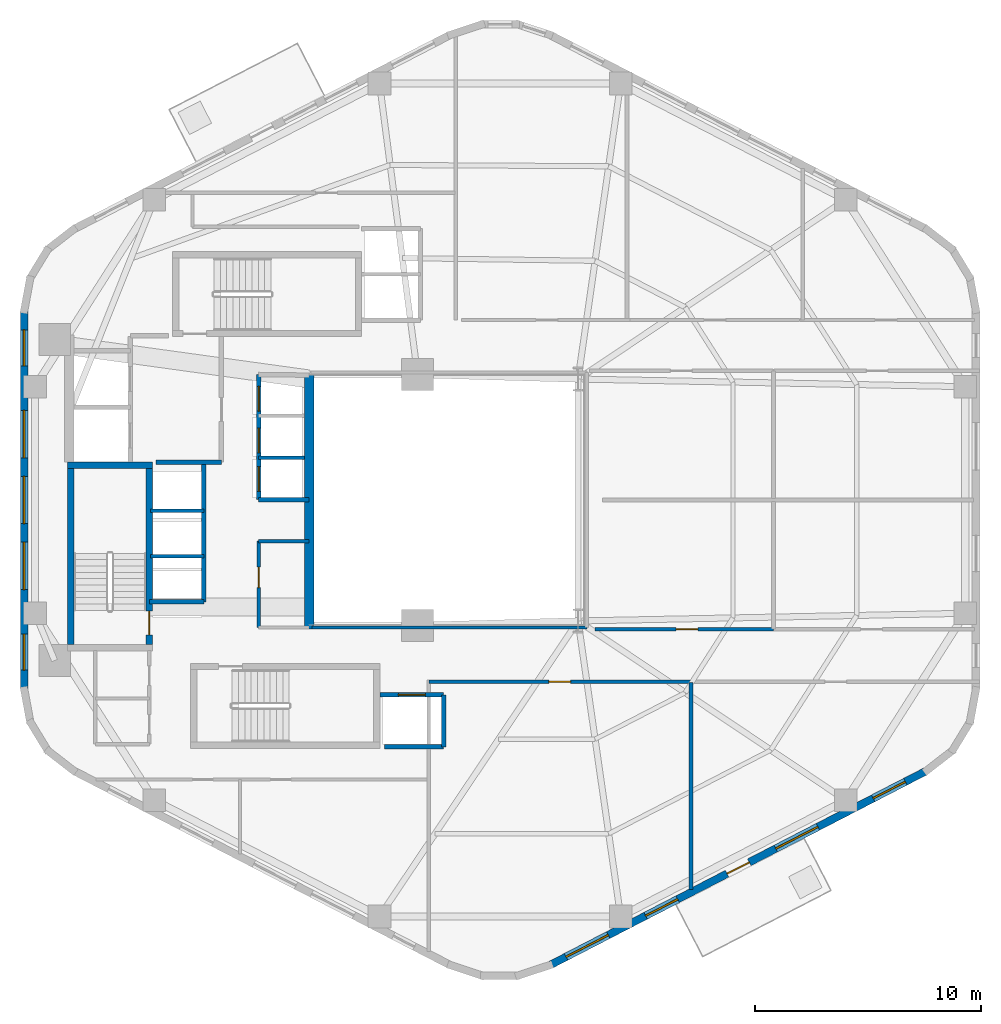
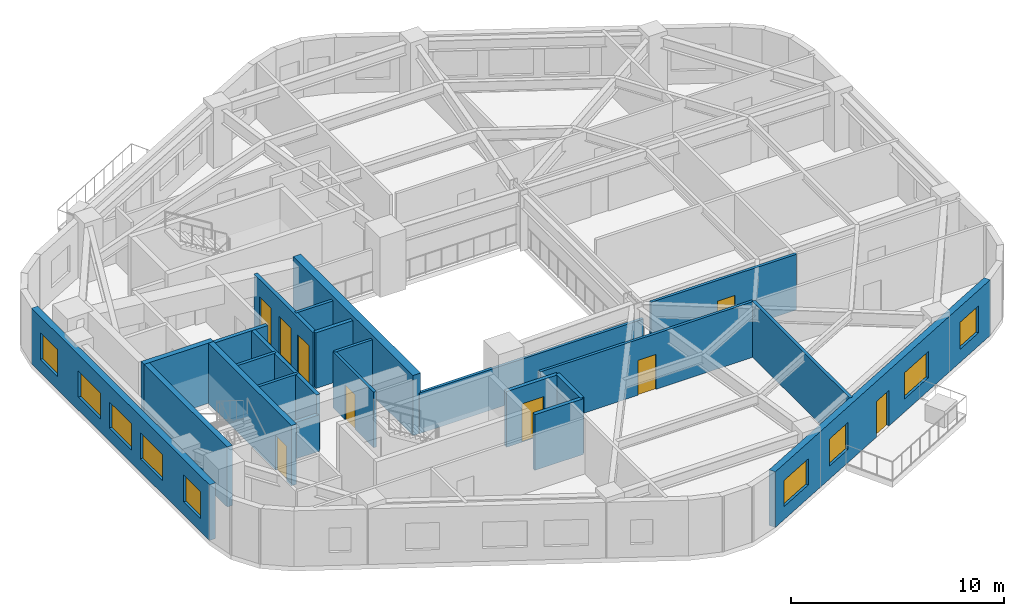
# One storey, part 3 of 8: 23 walls, 9 doors, 9 windows, 18 openings.
"""IFC4 building model written with IfcOpenShell, lengths in metres."""

from ifc_helpers import new_model, si_unit, direction, frame, frame_2d, origin, place, context, subcontext, project, spatial, rectangle, extrude, material, layer, layer_set, type_object, element, fill, save


model = new_model("IFC4")

# Units and contexts
model_context = context("Model", 3, precision=1e-05, world=origin(), true_north=direction((0.0, 1.0)))
body_context = subcontext(model_context, "Body", "Model", "MODEL_VIEW")
ifc_project = project(units=[si_unit("LENGTHUNIT", "METRE"), si_unit("AREAUNIT", "SQUARE_METRE"), si_unit("VOLUMEUNIT", "CUBIC_METRE"), si_unit("PLANEANGLEUNIT", "RADIAN"), si_unit("MASSUNIT", "GRAM", prefix="KILO"), si_unit("THERMODYNAMICTEMPERATUREUNIT", "KELVIN"), si_unit("POWERUNIT", "WATT")], contexts=[model_context])

# Site, building, storey
site_placement = place(None, origin())
site = spatial("IfcSite", under=ifc_project, at=site_placement, CompositionType="ELEMENT")
building_placement = place(site_placement, origin())
building = spatial("IfcBuilding", under=site, at=building_placement, Name="Skarre Station Tower", CompositionType="ELEMENT")
storey_placement = place(building_placement, frame((0.0, 0.0, 153.300048828125)))
storey = spatial("IfcBuildingStorey", under=building, at=storey_placement, Name="L41", CompositionType="ELEMENT", Elevation=153.300048828125)

# Wall, opening, door
ifc_material_1 = material(Name="Acoustic Steel-Stud Gypsum Partition", Category="steel")
ifc_layer_1 = layer(ifc_material_1, 0.14990234375, Name="Acoustic Steel-Stud Gypsum Partition")
ifc_layer_set_1 = layer_set([ifc_layer_1], Name="Acoustic Steel-Stud Gypsum Partition")
wall_type_1 = type_object("IfcWallType", Name="Fire-Rated Corridor Acoustic Partition 150", PredefinedType="PARTITIONING", material=ifc_layer_set_1)
wall_1_placement = place(storey_placement, frame((25.320068359375, 22.179931640625, 0.0), z_axis=(0.0, 0.0, 1.0), x_axis=(0.0, -1.0, 0.0)))
wall_1 = element("IfcWall", 1, at=wall_1_placement, inside=storey, type_object=wall_type_1, Name="L41 Interior Partition WL-PT-L41-RC1-W", PredefinedType="PARTITIONING", context=body_context, shape_type="SweptSolid", body=[
    extrude(rectangle(XDim=3.81982421875, YDim=0.14990234375, at=frame_2d((1.909912109375, 0.0))), origin(), (0.0, 0.0, 1.0), 3.18994140625),
])
opening_1_placement = place(wall_1_placement, frame((1.14990234375, 0.0, 0.0)))
opening_1 = element("IfcOpeningElement", 2, at=opening_1_placement, cuts=wall_1, Name="Opening DR-SVC90", PredefinedType="OPENING", context=body_context, shape_type="SweptSolid", body=[
    extrude(rectangle(XDim=0.89990234375, YDim=2.0, at=frame_2d((0.449951171875, 1.0))), frame((0.0, 0.0849609375, 0.0), z_axis=(0.0, -1.0, 0.0), x_axis=(1.0, 0.0, 0.0)), (0.0, 0.0, 1.0), 0.169921875),
])
ifc_material_2 = material(Name="Powder-Coated Hollow-Metal Acoustic Fire Leaf", Category="steel")
door_type_1 = type_object("IfcDoorType", Name="Service & Riser Fire Door FD60 900x2100", OperationType="SINGLE_SWING_LEFT", PredefinedType="DOOR", material=ifc_material_2)
door_1_placement = place(opening_1_placement, origin())
door_1 = element("IfcDoor", 3, at=door_1_placement, inside=storey, type_object=door_type_1, Name="L41 Staff Pantry Door", OperationType="SINGLE_SWING_LEFT", OverallHeight=2.0, OverallWidth=0.89990234375, PredefinedType="DOOR", context=body_context, shape_type="SweptSolid", body=[
    extrude(rectangle(XDim=0.89990234375, YDim=2.0, at=frame_2d((0.449951171875, 1.0))), frame((0.0, 0.02490234375, 0.0), z_axis=(0.0, -1.0, 0.0), x_axis=(1.0, 0.0, 0.0)), (0.0, 0.0, 1.0), 0.050048828125),
])
fill(opening_1, door_1)

# Walls
wall_2_placement = place(storey_placement, frame((25.320068359375, 22.179931640625, 0.0), z_axis=(0.0, 0.0, 1.0), x_axis=(1.0, 0.0, 0.0)))
element("IfcWall", 4, at=wall_2_placement, inside=storey, type_object=wall_type_1, Name="L41 Interior Partition WL-PT-L41-RC1-N2", PredefinedType="PARTITIONING", context=body_context, shape_type="SweptSolid", body=[
    extrude(rectangle(XDim=2.22998046875, YDim=0.14990234375, at=frame_2d((1.114990234375, 0.0))), origin(), (0.0, 0.0, 1.0), 3.18994140625),
])
wall_3_placement = place(storey_placement, frame((27.675048828125, 18.360107421875, 0.0), z_axis=(0.0, 0.0, 1.0), x_axis=(1.0, 0.0, 0.0)))
element("IfcWall", 5, at=wall_3_placement, inside=storey, type_object=wall_type_1, Name="L41 Interior Partition WL-PT-L41-ATRW-S", PredefinedType="PARTITIONING", context=body_context, shape_type="SweptSolid", body=[
    extrude(rectangle(XDim=12.1650390625, YDim=0.14990234375, at=frame_2d((6.08251953125, 0.0))), origin(), (0.0, 0.0, 1.0), 2.3310546875),
])

# Wall, opening, door
wall_4_placement = place(storey_placement, frame((48.090087890625, 18.2900390625, 0.0), z_axis=(0.0, 0.0, 1.0), x_axis=(-1.0, 0.0, 0.0)))
wall_4 = element("IfcWall", 6, at=wall_4_placement, inside=storey, type_object=wall_type_1, Name="L41 Interior Partition WL-PT-L41-EWS1-CW", PredefinedType="PARTITIONING", context=body_context, shape_type="SweptSolid", body=[
    extrude(rectangle(XDim=7.89013671875, YDim=0.14990234375, at=frame_2d((3.945068359375, 0.0))), origin(), (0.0, 0.0, 1.0), 3.18994140625),
])
opening_2_placement = place(wall_4_placement, frame((3.344970703125, 0.0, 0.0)))
opening_2 = element("IfcOpeningElement", 7, at=opening_2_placement, cuts=wall_4, Name="Opening DR-FD60", PredefinedType="OPENING", context=body_context, shape_type="SweptSolid", body=[
    extrude(rectangle(XDim=0.9599609375, YDim=2.0, at=frame_2d((0.47998046875, 1.0))), frame((0.0, 0.0849609375, 0.0), z_axis=(0.0, -1.0, 0.0), x_axis=(1.0, 0.0, 0.0)), (0.0, 0.0, 1.0), 0.169921875),
])
ifc_material_3 = material(Name="Nordic White-Oak Veneer Solid-Core Fire Leaf", Category="wood")
door_type_2 = type_object("IfcDoorType", Name="Corridor Suite Entry Fire Door FD60 960x2150", OperationType="SINGLE_SWING_LEFT", PredefinedType="DOOR", material=ifc_material_3)
door_2_placement = place(opening_2_placement, origin())
door_2 = element("IfcDoor", 8, at=door_2_placement, inside=storey, type_object=door_type_2, Name="L41 EWS1 Entry Door", OperationType="SINGLE_SWING_LEFT", OverallHeight=2.0, OverallWidth=0.9599609375, PredefinedType="DOOR", context=body_context, shape_type="SweptSolid", body=[
    extrude(rectangle(XDim=0.9599609375, YDim=2.0, at=frame_2d((0.47998046875, 1.0))), frame((0.0, 0.02490234375, 0.0), z_axis=(0.0, -1.0, 0.0), x_axis=(1.0, 0.0, 0.0)), (0.0, 0.0, 1.0), 0.050048828125),
])
fill(opening_2, door_2)

wall_5_placement = place(storey_placement, frame((32.85009765625, 15.9599609375, 0.0), z_axis=(0.0, 0.0, 1.0), x_axis=(1.0, 0.0, 0.0)))
wall_5 = element("IfcWall", 9, at=wall_5_placement, inside=storey, type_object=wall_type_1, Name="L41 Interior Partition WL-PT-L41-SW1-CW", PredefinedType="PARTITIONING", context=body_context, shape_type="SweptSolid", body=[
    extrude(rectangle(XDim=11.57080078125, YDim=0.14990234375, at=frame_2d((5.785400390625, 0.0))), origin(), (0.0, 0.0, 1.0), 3.18994140625),
])
opening_3_placement = place(wall_5_placement, frame((5.305908203125, 0.0, 0.0)))
opening_3 = element("IfcOpeningElement", 10, at=opening_3_placement, cuts=wall_5, Name="Opening DR-FD60", PredefinedType="OPENING", context=body_context, shape_type="SweptSolid", body=[
    extrude(rectangle(XDim=0.9599609375, YDim=2.0, at=frame_2d((0.47998046875, 1.0))), frame((0.0, 0.0849609375, 0.0), z_axis=(0.0, -1.0, 0.0), x_axis=(1.0, 0.0, 0.0)), (0.0, 0.0, 1.0), 0.169921875),
])
door_3_placement = place(opening_3_placement, origin())
door_3 = element("IfcDoor", 11, at=door_3_placement, inside=storey, type_object=door_type_2, Name="L41 SW1 Entry Door", OperationType="SINGLE_SWING_LEFT", OverallHeight=2.0, OverallWidth=0.9599609375, PredefinedType="DOOR", context=body_context, shape_type="SweptSolid", body=[
    extrude(rectangle(XDim=0.9599609375, YDim=2.0, at=frame_2d((0.47998046875, 1.0))), frame((0.0, 0.02490234375, 0.0), z_axis=(0.0, -1.0, 0.0), x_axis=(1.0, 0.0, 0.0)), (0.0, 0.0, 1.0), 0.050048828125),
])
fill(opening_3, door_3)

# Wall, openings, windows
ifc_material_4 = material(Name="Precast concrete C45/55", Category="concrete")
ifc_layer_2 = layer(ifc_material_4, 0.340087890625, Name="Precast concrete C45/55")
ifc_layer_set_2 = layer_set([ifc_layer_2], Name="Precast concrete C45/55")
wall_type_2 = type_object("IfcWallType", Name="Nordic Honed Precast Facet Wall 340", PredefinedType="STANDARD", material=ifc_layer_set_2)
wall_6_placement = place(storey_placement, frame((14.951904296875, 15.64794921875, 0.0), z_axis=(0.0, 0.0, 1.0), x_axis=(0.0, 1.0, 0.0)))
wall_6 = element("IfcWall", 12, at=wall_6_placement, inside=storey, type_object=wall_type_2, Name="L41 Facet 2 Nordic Precast Masonry Wall", PredefinedType="STANDARD", context=body_context, shape_type="SweptSolid", body=[
    extrude(rectangle(XDim=16.7041015625, YDim=0.340087890625, at=frame_2d((8.35205078125, 0.0))), origin(), (0.0, 0.0, 1.0), 3.18994140625),
])
opening_4_placement = place(wall_6_placement, frame((0.825927734375, 0.0, 0.75)))
opening_4 = element("IfcOpeningElement", 13, at=opening_4_placement, cuts=wall_6, Name="Opening WN-Z2A", PredefinedType="OPENING", context=body_context, shape_type="SweptSolid", body=[
    extrude(rectangle(XDim=1.60009765625, YDim=1.550048828125, at=frame_2d((0.800048828125, 0.77490234375))), frame((0.0, 0.179931640625, 0.0), z_axis=(0.0, -1.0, 0.0), x_axis=(1.0, 0.0, 0.0)), (0.0, 0.0, 1.0), 0.360107421875),
])
opening_5_placement = place(wall_6_placement, frame((4.387939453125, 0.0, 0.75)))
opening_5 = element("IfcOpeningElement", 14, at=opening_5_placement, cuts=wall_6, Name="Opening WN-Z2B", PredefinedType="OPENING", context=body_context, shape_type="SweptSolid", body=[
    extrude(rectangle(XDim=2.10009765625, YDim=1.5, at=frame_2d((1.050048828125, 0.75))), frame((0.0, 0.179931640625, 0.0), z_axis=(0.0, -1.0, 0.0), x_axis=(1.0, 0.0, 0.0)), (0.0, 0.0, 1.0), 0.360107421875),
])
opening_6_placement = place(wall_6_placement, frame((7.302001953125, 0.0, 0.75)))
opening_6 = element("IfcOpeningElement", 15, at=opening_6_placement, cuts=wall_6, Name="Opening WN-Z2B", PredefinedType="OPENING", context=body_context, shape_type="SweptSolid", body=[
    extrude(rectangle(XDim=2.10009765625, YDim=1.5, at=frame_2d((1.050048828125, 0.75))), frame((0.0, 0.179931640625, 0.0), z_axis=(0.0, -1.0, 0.0), x_axis=(1.0, 0.0, 0.0)), (0.0, 0.0, 1.0), 0.360107421875),
])
opening_7_placement = place(wall_6_placement, frame((10.216064453125, 0.0, 0.75)))
opening_7 = element("IfcOpeningElement", 16, at=opening_7_placement, cuts=wall_6, Name="Opening WN-Z2B", PredefinedType="OPENING", context=body_context, shape_type="SweptSolid", body=[
    extrude(rectangle(XDim=2.10009765625, YDim=1.5, at=frame_2d((1.050048828125, 0.75))), frame((0.0, 0.179931640625, 0.0), z_axis=(0.0, -1.0, 0.0), x_axis=(1.0, 0.0, 0.0)), (0.0, 0.0, 1.0), 0.360107421875),
])
opening_8_placement = place(wall_6_placement, frame((14.278076171875, 0.0, 0.75)))
opening_8 = element("IfcOpeningElement", 17, at=opening_8_placement, cuts=wall_6, Name="Opening WN-Z2A", PredefinedType="OPENING", context=body_context, shape_type="SweptSolid", body=[
    extrude(rectangle(XDim=1.60009765625, YDim=1.550048828125, at=frame_2d((0.800048828125, 0.77490234375))), frame((0.0, 0.179931640625, 0.0), z_axis=(0.0, -1.0, 0.0), x_axis=(1.0, 0.0, 0.0)), (0.0, 0.0, 1.0), 0.360107421875),
])
ifc_material_5 = material(Name="Low-Iron Triple Glazing with Bronze Anodized Frame", Category="glass")
window_type_1 = type_object("IfcWindowType", Name="Nordic Residential Tall Window 1600x1550", PartitioningType="SINGLE_PANEL", PredefinedType="WINDOW", material=ifc_material_5)
window_1_placement = place(opening_4_placement, origin())
window_1 = element("IfcWindow", 18, at=window_1_placement, inside=storey, type_object=window_type_1, Name="L41 Facade Window WL-FAC-L41-F2-1", OverallHeight=1.550048828125, OverallWidth=1.60009765625, PartitioningType="SINGLE_PANEL", PredefinedType="WINDOW", context=body_context, shape_type="SweptSolid", body=[
    extrude(rectangle(XDim=1.60009765625, YDim=1.550048828125, at=frame_2d((0.800048828125, 0.77490234375))), frame((0.0, 0.030029296875, 0.0), z_axis=(0.0, -1.0, 0.0), x_axis=(1.0, 0.0, 0.0)), (0.0, 0.0, 1.0), 0.06005859375),
])
fill(opening_4, window_1)
window_2_placement = place(opening_8_placement, origin())
window_2 = element("IfcWindow", 19, at=window_2_placement, inside=storey, type_object=window_type_1, Name="L41 Facade Window WL-FAC-L41-F2-5", OverallHeight=1.550048828125, OverallWidth=1.60009765625, PartitioningType="SINGLE_PANEL", PredefinedType="WINDOW", context=body_context, shape_type="SweptSolid", body=[
    extrude(rectangle(XDim=1.60009765625, YDim=1.550048828125, at=frame_2d((0.800048828125, 0.77490234375))), frame((0.0, 0.030029296875, 0.0), z_axis=(0.0, -1.0, 0.0), x_axis=(1.0, 0.0, 0.0)), (0.0, 0.0, 1.0), 0.06005859375),
])
fill(opening_8, window_2)
window_type_2 = type_object("IfcWindowType", Name="Nordic Residential Twin Window 2100x1500", PartitioningType="SINGLE_PANEL", PredefinedType="WINDOW", material=ifc_material_5)
window_3_placement = place(opening_5_placement, origin())
window_3 = element("IfcWindow", 20, at=window_3_placement, inside=storey, type_object=window_type_2, Name="L41 Facade Window WL-FAC-L41-F2-2", OverallHeight=1.5, OverallWidth=2.10009765625, PartitioningType="SINGLE_PANEL", PredefinedType="WINDOW", context=body_context, shape_type="SweptSolid", body=[
    extrude(rectangle(XDim=2.10009765625, YDim=1.5, at=frame_2d((1.050048828125, 0.75))), frame((0.0, 0.030029296875, 0.0), z_axis=(0.0, -1.0, 0.0), x_axis=(1.0, 0.0, 0.0)), (0.0, 0.0, 1.0), 0.06005859375),
])
fill(opening_5, window_3)
window_4_placement = place(opening_6_placement, origin())
window_4 = element("IfcWindow", 21, at=window_4_placement, inside=storey, type_object=window_type_2, Name="L41 Facade Window WL-FAC-L41-F2-3", OverallHeight=1.5, OverallWidth=2.10009765625, PartitioningType="SINGLE_PANEL", PredefinedType="WINDOW", context=body_context, shape_type="SweptSolid", body=[
    extrude(rectangle(XDim=2.10009765625, YDim=1.5, at=frame_2d((1.050048828125, 0.75))), frame((0.0, 0.030029296875, 0.0), z_axis=(0.0, -1.0, 0.0), x_axis=(1.0, 0.0, 0.0)), (0.0, 0.0, 1.0), 0.06005859375),
])
fill(opening_6, window_4)
window_5_placement = place(opening_7_placement, origin())
window_5 = element("IfcWindow", 22, at=window_5_placement, inside=storey, type_object=window_type_2, Name="L41 Facade Window WL-FAC-L41-F2-4", OverallHeight=1.5, OverallWidth=2.10009765625, PartitioningType="SINGLE_PANEL", PredefinedType="WINDOW", context=body_context, shape_type="SweptSolid", body=[
    extrude(rectangle(XDim=2.10009765625, YDim=1.5, at=frame_2d((1.050048828125, 0.75))), frame((0.0, 0.030029296875, 0.0), z_axis=(0.0, -1.0, 0.0), x_axis=(1.0, 0.0, 0.0)), (0.0, 0.0, 1.0), 0.06005859375),
])
fill(opening_7, window_5)

# Wall, openings, windows, door
wall_7_placement = place(storey_placement, frame((54.8310546875, 12.010009765625, 0.0), z_axis=(0.0, 0.0, 1.0), x_axis=(-0.888613612362, -0.458656568606, 0.0)))
wall_7 = element("IfcWall", 23, at=wall_7_placement, inside=storey, type_object=wall_type_2, Name="L41 Facet 4 Nordic Precast Masonry Wall", PredefinedType="STANDARD", context=body_context, shape_type="SweptSolid", body=[
    extrude(rectangle(XDim=18.680908203125, YDim=0.340087890625, at=frame_2d((9.34033203125, 0.0))), origin(), (0.0, 0.0, 1.0), 3.18994140625),
])
opening_9_placement = place(wall_7_placement, frame((8.7900390625, 0.0, 0.0)))
opening_9 = element("IfcOpeningElement", 24, at=opening_9_placement, cuts=wall_7, Name="Opening DR-BAL110", PredefinedType="OPENING", context=body_context, shape_type="SweptSolid", body=[
    extrude(rectangle(XDim=1.10009765625, YDim=2.0400390625, at=frame_2d((0.550048828125, 1.02001953125))), frame((0.0, 0.179931640625, 0.0), z_axis=(0.0, -1.0, 0.0), x_axis=(1.0, 0.0, 0.0)), (0.0, 0.0, 1.0), 0.360107421875),
])
opening_10_placement = place(wall_7_placement, frame((1.02294921875, 0.0, 0.75)))
opening_10 = element("IfcOpeningElement", 25, at=opening_10_placement, cuts=wall_7, Name="Opening WN-Z2A", PredefinedType="OPENING", context=body_context, shape_type="SweptSolid", body=[
    extrude(rectangle(XDim=1.60009765625, YDim=1.550048828125, at=frame_2d((0.800048828125, 0.77490234375))), frame((0.0, 0.179931640625, 0.0), z_axis=(0.0, -1.0, 0.0), x_axis=(1.0, 0.0, 0.0)), (0.0, 0.0, 1.0), 0.360107421875),
])
opening_11_placement = place(wall_7_placement, frame((5.373046875, 0.0, 0.75)))
opening_11 = element("IfcOpeningElement", 26, at=opening_11_placement, cuts=wall_7, Name="Opening WN-Z2B", PredefinedType="OPENING", context=body_context, shape_type="SweptSolid", body=[
    extrude(rectangle(XDim=2.10009765625, YDim=1.5, at=frame_2d((1.050048828125, 0.75))), frame((0.0, 0.179931640625, 0.0), z_axis=(0.0, -1.0, 0.0), x_axis=(1.0, 0.0, 0.0)), (0.0, 0.0, 1.0), 0.360107421875),
])
opening_12_placement = place(wall_7_placement, frame((12.35009765625, 0.0, 0.75)))
opening_12 = element("IfcOpeningElement", 27, at=opening_12_placement, cuts=wall_7, Name="Opening WN-Z2A", PredefinedType="OPENING", context=body_context, shape_type="SweptSolid", body=[
    extrude(rectangle(XDim=1.60009765625, YDim=1.550048828125, at=frame_2d((0.800048828125, 0.77490234375))), frame((0.0, 0.179931640625, 0.0), z_axis=(0.0, -1.0, 0.0), x_axis=(1.0, 0.0, 0.0)), (0.0, 0.0, 1.0), 0.360107421875),
])
opening_13_placement = place(wall_7_placement, frame((15.80810546875, 0.0, 0.75)))
opening_13 = element("IfcOpeningElement", 28, at=opening_13_placement, cuts=wall_7, Name="Opening WN-Z2B", PredefinedType="OPENING", context=body_context, shape_type="SweptSolid", body=[
    extrude(rectangle(XDim=2.10009765625, YDim=1.5, at=frame_2d((1.050048828125, 0.75))), frame((0.0, 0.179931640625, 0.0), z_axis=(0.0, -1.0, 0.0), x_axis=(1.0, 0.0, 0.0)), (0.0, 0.0, 1.0), 0.360107421875),
])
window_6_placement = place(opening_10_placement, origin())
window_6 = element("IfcWindow", 29, at=window_6_placement, inside=storey, type_object=window_type_1, Name="L41 Facade Window WL-FAC-L41-F4-1", OverallHeight=1.550048828125, OverallWidth=1.60009765625, PartitioningType="SINGLE_PANEL", PredefinedType="WINDOW", context=body_context, shape_type="SweptSolid", body=[
    extrude(rectangle(XDim=1.60009765625, YDim=1.550048828125, at=frame_2d((0.800048828125, 0.77490234375))), frame((0.0, 0.030029296875, 0.0), z_axis=(0.0, -1.0, 0.0), x_axis=(1.0, 0.0, 0.0)), (0.0, 0.0, 1.0), 0.06005859375),
])
fill(opening_10, window_6)
window_7_placement = place(opening_12_placement, origin())
window_7 = element("IfcWindow", 30, at=window_7_placement, inside=storey, type_object=window_type_1, Name="L41 Facade Window WL-FAC-L41-F4-3", OverallHeight=1.550048828125, OverallWidth=1.60009765625, PartitioningType="SINGLE_PANEL", PredefinedType="WINDOW", context=body_context, shape_type="SweptSolid", body=[
    extrude(rectangle(XDim=1.60009765625, YDim=1.550048828125, at=frame_2d((0.800048828125, 0.77490234375))), frame((0.0, 0.030029296875, 0.0), z_axis=(0.0, -1.0, 0.0), x_axis=(1.0, 0.0, 0.0)), (0.0, 0.0, 1.0), 0.06005859375),
])
fill(opening_12, window_7)
window_8_placement = place(opening_11_placement, origin())
window_8 = element("IfcWindow", 31, at=window_8_placement, inside=storey, type_object=window_type_2, Name="L41 Facade Window WL-FAC-L41-F4-2", OverallHeight=1.5, OverallWidth=2.10009765625, PartitioningType="SINGLE_PANEL", PredefinedType="WINDOW", context=body_context, shape_type="SweptSolid", body=[
    extrude(rectangle(XDim=2.10009765625, YDim=1.5, at=frame_2d((1.050048828125, 0.75))), frame((0.0, 0.030029296875, 0.0), z_axis=(0.0, -1.0, 0.0), x_axis=(1.0, 0.0, 0.0)), (0.0, 0.0, 1.0), 0.06005859375),
])
fill(opening_11, window_8)
window_9_placement = place(opening_13_placement, origin())
window_9 = element("IfcWindow", 32, at=window_9_placement, inside=storey, type_object=window_type_2, Name="L41 Facade Window WL-FAC-L41-F4-4", OverallHeight=1.5, OverallWidth=2.10009765625, PartitioningType="SINGLE_PANEL", PredefinedType="WINDOW", context=body_context, shape_type="SweptSolid", body=[
    extrude(rectangle(XDim=2.10009765625, YDim=1.5, at=frame_2d((1.050048828125, 0.75))), frame((0.0, 0.030029296875, 0.0), z_axis=(0.0, -1.0, 0.0), x_axis=(1.0, 0.0, 0.0)), (0.0, 0.0, 1.0), 0.06005859375),
])
fill(opening_13, window_9)
ifc_material_6 = material(Name="Thermally Broken Aluminium & Triple Glazing", Category="aluminium")
door_type_3 = type_object("IfcDoorType", Name="Terrace & Tree-Balcony Glazed Door 1100x2200", OperationType="SINGLE_SWING_LEFT", PredefinedType="DOOR", material=ifc_material_6)
door_4_placement = place(opening_9_placement, origin())
door_4 = element("IfcDoor", 33, at=door_4_placement, inside=storey, type_object=door_type_3, Name="L41 TB-L41-F4 Tree-Balcony Glazed Door", OperationType="SINGLE_SWING_LEFT", OverallHeight=2.0400390625, OverallWidth=1.10009765625, PredefinedType="DOOR", context=body_context, shape_type="SweptSolid", body=[
    extrude(rectangle(XDim=1.10009765625, YDim=2.0400390625, at=frame_2d((0.550048828125, 1.02001953125))), frame((0.0, 0.02490234375, 0.0), z_axis=(0.0, -1.0, 0.0), x_axis=(1.0, 0.0, 0.0)), (0.0, 0.0, 1.0), 0.050048828125),
])
fill(opening_9, door_4)

# Walls
ifc_material_7 = material(Name="Concrete C50/60", Category="concrete")
ifc_layer_3 = layer(ifc_material_7, 0.280029296875, Name="Concrete C50/60")
ifc_layer_set_3 = layer_set([ifc_layer_3], Name="Concrete C50/60")
wall_type_3 = type_object("IfcWallType", Name="RC Core Shear Wall 280", PredefinedType="SHEAR", material=ifc_layer_set_3)
wall_8_placement = place(storey_placement, frame((20.6298828125, 25.5400390625, 0.0), z_axis=(0.0, 0.0, 1.0), x_axis=(-1.0, 0.0, 0.0)))
element("IfcWall", 34, at=wall_8_placement, inside=storey, type_object=wall_type_3, Name="L41 Stair ST-1 North Shear Wall", PredefinedType="SHEAR", context=body_context, shape_type="SweptSolid", body=[
    extrude(rectangle(XDim=3.759765625, YDim=0.280029296875, at=frame_2d((1.8798828125, 0.0))), origin(), (0.0, 0.0, 1.0), 3.449951171875),
])
wall_9_placement = place(storey_placement, frame((17.010009765625, 25.39990234375, 0.0), z_axis=(0.0, 0.0, 1.0), x_axis=(0.0, -1.0, 0.0)))
element("IfcWall", 35, at=wall_9_placement, inside=storey, type_object=wall_type_3, Name="L41 Stair ST-1 West Shear Wall", PredefinedType="SHEAR", context=body_context, shape_type="SweptSolid", body=[
    extrude(rectangle(XDim=7.7998046875, YDim=0.280029296875, at=frame_2d((3.89990234375, 0.0))), origin(), (0.0, 0.0, 1.0), 3.449951171875),
])

# Wall, opening, door
wall_10_placement = place(storey_placement, frame((20.489990234375, 17.60009765625, 0.0), z_axis=(0.0, 0.0, 1.0), x_axis=(0.0, 1.0, 0.0)))
wall_10 = element("IfcWall", 36, at=wall_10_placement, inside=storey, type_object=wall_type_3, Name="L41 Stair ST-1 East Shear Wall", PredefinedType="SHEAR", context=body_context, shape_type="SweptSolid", body=[
    extrude(rectangle(XDim=7.7998046875, YDim=0.280029296875, at=frame_2d((3.89990234375, 0.0))), origin(), (0.0, 0.0, 1.0), 3.449951171875),
])
opening_14_placement = place(wall_10_placement, frame((0.43994140625, 0.0, 0.0)))
opening_14 = element("IfcOpeningElement", 37, at=opening_14_placement, cuts=wall_10, Name="Opening DR-FD90", PredefinedType="OPENING", context=body_context, shape_type="SweptSolid", body=[
    extrude(rectangle(XDim=1.050048828125, YDim=2.0, at=frame_2d((0.52490234375, 1.0))), frame((0.0, 0.14990234375, 0.0), z_axis=(0.0, -1.0, 0.0), x_axis=(1.0, 0.0, 0.0)), (0.0, 0.0, 1.0), 0.300048828125),
])
ifc_material_8 = material(Name="Fire-Rated Insulated Steel Frame & Timber Core Leaf", Category="steel")
door_type_4 = type_object("IfcDoorType", Name="Stair & FSAE Lobby Fire Door FD90 1050x2150", OperationType="SINGLE_SWING_RIGHT", PredefinedType="DOOR", material=ifc_material_8)
door_5_placement = place(opening_14_placement, origin())
door_5 = element("IfcDoor", 38, at=door_5_placement, inside=storey, type_object=door_type_4, Name="L41 Stair ST-1 Exit Door", OperationType="SINGLE_SWING_RIGHT", OverallHeight=2.0, OverallWidth=1.050048828125, PredefinedType="DOOR", context=body_context, shape_type="SweptSolid", body=[
    extrude(rectangle(XDim=1.050048828125, YDim=2.0, at=frame_2d((0.52490234375, 1.0))), frame((0.0, 0.02490234375, 0.0), z_axis=(0.0, -1.0, 0.0), x_axis=(1.0, 0.0, 0.0)), (0.0, 0.0, 1.0), 0.050048828125),
])
fill(opening_14, door_5)

# Walls
ifc_material_9 = material(Name="Concrete C60/75", Category="concrete")
ifc_layer_4 = layer(ifc_material_9, 0.419921875, Name="Concrete C60/75")
ifc_layer_set_4 = layer_set([ifc_layer_4], Name="Concrete C60/75")
wall_type_4 = type_object("IfcWallType", Name="RC Core Shear Wall 420", PredefinedType="SHEAR", material=ifc_layer_set_4)
wall_11_placement = place(storey_placement, frame((27.550048828125, 29.550048828125, 0.0), z_axis=(0.0, 0.0, 1.0), x_axis=(0.0, -1.0, 0.0)))
element("IfcWall", 39, at=wall_11_placement, inside=storey, type_object=wall_type_4, Name="L41 Core East Atrium Shear Wall", PredefinedType="SHEAR", context=body_context, shape_type="SweptSolid", body=[
    extrude(rectangle(XDim=11.25, YDim=0.419921875, at=frame_2d((5.625, 0.0))), origin(), (0.0, 0.0, 1.0), 3.449951171875),
])
ifc_material_10 = material(Name="Gypsum Concrete Shaft Assembly C30/37", Category="concrete")
ifc_layer_5 = layer(ifc_material_10, 0.199951171875, Name="Gypsum Concrete Shaft Assembly C30/37")
ifc_layer_set_5 = layer_set([ifc_layer_5], Name="Gypsum Concrete Shaft Assembly C30/37")
wall_type_5 = type_object("IfcWallType", Name="Shaft & Core Fire Partition 200", PredefinedType="PARTITIONING", material=ifc_layer_set_5)
wall_12_placement = place(storey_placement, frame((20.79296875, 25.679931640625, 0.0), z_axis=(0.0, 0.0, 1.0), x_axis=(1.0, 0.0, 0.0)))
element("IfcWall", 40, at=wall_12_placement, inside=storey, type_object=wall_type_5, Name="L41 Interior Partition WL-PT-L41-FSAE-S", PredefinedType="PARTITIONING", context=body_context, shape_type="SweptSolid", body=[
    extrude(rectangle(XDim=2.886962890625, YDim=0.199951171875, at=frame_2d((1.443359375, 0.0))), origin(), (0.0, 0.0, 1.0), 3.18994140625),
])

# Wall, opening, door
wall_13_placement = place(storey_placement, frame((33.5, 15.3798828125, 0.0), z_axis=(0.0, 0.0, 1.0), x_axis=(-1.0, 0.0, 0.0)))
wall_13 = element("IfcWall", 41, at=wall_13_placement, inside=storey, type_object=wall_type_5, Name="L41 Interior Partition WL-PT-L41-SV1-N", PredefinedType="PARTITIONING", context=body_context, shape_type="SweptSolid", body=[
    extrude(rectangle(XDim=2.820068359375, YDim=0.199951171875, at=frame_2d((1.41015625, 0.0))), origin(), (0.0, 0.0, 1.0), 3.18994140625),
])
opening_15_placement = place(wall_13_placement, frame((0.800048828125, 0.0, 0.0)))
opening_15 = element("IfcOpeningElement", 42, at=opening_15_placement, cuts=wall_13, Name="Opening LD-SV1", PredefinedType="OPENING", context=body_context, shape_type="SweptSolid", body=[
    extrude(rectangle(XDim=1.199951171875, YDim=2.199951171875, at=frame_2d((0.60009765625, 1.10009765625))), frame((0.0, 0.10986328125, 0.0), z_axis=(0.0, -1.0, 0.0), x_axis=(1.0, 0.0, 0.0)), (0.0, 0.0, 1.0), 0.219970703125),
])
ifc_material_11 = material(Name="Heavy-Gauge Brushed Stainless Steel Sliding Leaves", Category="steel")
door_type_5 = type_object("IfcDoorType", Name="Service Elevator Wide Sliding Landing Door 1200x2200", OperationType="SLIDING_TO_RIGHT", PredefinedType="DOOR", material=ifc_material_11)
door_6_placement = place(opening_15_placement, origin())
door_6 = element("IfcDoor", 43, at=door_6_placement, inside=storey, type_object=door_type_5, Name="L41 Service Lift LF-SV1 Landing Door", OperationType="SLIDING_TO_RIGHT", OverallHeight=2.199951171875, OverallWidth=1.199951171875, PredefinedType="DOOR", context=body_context, shape_type="SweptSolid", body=[
    extrude(rectangle(XDim=1.199951171875, YDim=2.199951171875, at=frame_2d((0.60009765625, 1.10009765625))), frame((0.0, 0.02490234375, 0.0), z_axis=(0.0, -1.0, 0.0), x_axis=(1.0, 0.0, 0.0)), (0.0, 0.0, 1.0), 0.050048828125),
])
fill(opening_15, door_6)

# Walls
wall_14_placement = place(storey_placement, frame((33.5, 13.080078125, 0.0), z_axis=(0.0, 0.0, 1.0), x_axis=(0.0, 1.0, 0.0)))
element("IfcWall", 44, at=wall_14_placement, inside=storey, type_object=wall_type_5, Name="L41 Interior Partition WL-PT-L41-SV1-E", PredefinedType="PARTITIONING", context=body_context, shape_type="SweptSolid", body=[
    extrude(rectangle(XDim=2.2998046875, YDim=0.199951171875, at=frame_2d((1.14990234375, 0.0))), origin(), (0.0, 0.0, 1.0), 3.18994140625),
])
wall_15_placement = place(storey_placement, frame((30.87890625, 13.080078125, 0.0), z_axis=(0.0, 0.0, 1.0), x_axis=(1.0, 0.0, 0.0)))
element("IfcWall", 45, at=wall_15_placement, inside=storey, type_object=wall_type_5, Name="L41 Interior Partition WL-PT-L41-SV1-S", PredefinedType="PARTITIONING", context=body_context, shape_type="SweptSolid", body=[
    extrude(rectangle(XDim=2.62109375, YDim=0.199951171875, at=frame_2d((1.310546875, 0.0))), origin(), (0.0, 0.0, 1.0), 3.18994140625),
])
wall_16_placement = place(storey_placement, frame((22.89990234375, 19.5, 0.0), z_axis=(0.0, 0.0, 1.0), x_axis=(0.0, 1.0, 0.0)))
element("IfcWall", 46, at=wall_16_placement, inside=storey, type_object=wall_type_5, Name="L41 Interior Partition WL-PT-L41-B3-E", PredefinedType="PARTITIONING", context=body_context, shape_type="SweptSolid", body=[
    extrude(rectangle(XDim=6.0849609375, YDim=0.199951171875, at=frame_2d((3.04248046875, 0.0))), origin(), (0.0, 0.0, 1.0), 3.18994140625),
])
wall_17_placement = place(storey_placement, frame((20.489990234375, 19.5, 0.0), z_axis=(0.0, 0.0, 1.0), x_axis=(1.0, 0.0, 0.0)))
element("IfcWall", 47, at=wall_17_placement, inside=storey, type_object=wall_type_5, Name="L41 Interior Partition WL-PT-L41-B3-S", PredefinedType="PARTITIONING", context=body_context, shape_type="SweptSolid", body=[
    extrude(rectangle(XDim=2.409912109375, YDim=0.199951171875, at=frame_2d((1.205078125, 0.0))), origin(), (0.0, 0.0, 1.0), 2.08984375),
])
for number, where, z_axis, x_axis, name in (
    (48, (20.550048828125, 21.52001953125, 0.0), (0.0, 0.0, 1.0), (1.0, 0.0, 0.0), "L41 Interior Partition WL-PT-L41-B3-D1"),
    (49, (20.550048828125, 23.52001953125, 0.0), (0.0, 0.0, 1.0), (1.0, 0.0, 0.0), "L41 Interior Partition WL-PT-L41-B3-D2"),
):
    element("IfcWall", number, at=place(storey_placement, frame(where, z_axis=z_axis, x_axis=x_axis)), inside=storey, type_object=wall_type_5, Name=name, PredefinedType="PARTITIONING", context=body_context, shape_type="SweptSolid", body=[
        extrude(rectangle(XDim=2.349853515625, YDim=0.159912109375, at=frame_2d((1.1748046875, 0.0))), origin(), (0.0, 0.0, 1.0), 3.18994140625),
    ])

# Wall, openings, doors
wall_18_placement = place(storey_placement, frame((25.320068359375, 29.550048828125, 0.0), z_axis=(0.0, 0.0, 1.0), x_axis=(0.0, -1.0, 0.0)))
wall_18 = element("IfcWall", 50, at=wall_18_placement, inside=storey, type_object=wall_type_5, Name="L41 Interior Partition WL-PT-L41-B2-W", PredefinedType="PARTITIONING", context=body_context, shape_type="SweptSolid", body=[
    extrude(rectangle(XDim=5.530029296875, YDim=0.199951171875, at=frame_2d((2.76513671875, 0.0))), origin(), (0.0, 0.0, 1.0), 3.18994140625),
])
opening_16_placement = place(wall_18_placement, frame((0.52001953125, 0.0, 0.0)))
opening_16 = element("IfcOpeningElement", 51, at=opening_16_placement, cuts=wall_18, Name="Opening LD-P6", PredefinedType="OPENING", context=body_context, shape_type="SweptSolid", body=[
    extrude(rectangle(XDim=1.10009765625, YDim=2.199951171875, at=frame_2d((0.550048828125, 1.10009765625))), frame((0.0, 0.10986328125, 0.0), z_axis=(0.0, -1.0, 0.0), x_axis=(1.0, 0.0, 0.0)), (0.0, 0.0, 1.0), 0.219970703125),
])
opening_17_placement = place(wall_18_placement, frame((2.3701171875, 0.0, 0.0)))
opening_17 = element("IfcOpeningElement", 52, at=opening_17_placement, cuts=wall_18, Name="Opening LD-P5", PredefinedType="OPENING", context=body_context, shape_type="SweptSolid", body=[
    extrude(rectangle(XDim=1.10009765625, YDim=2.199951171875, at=frame_2d((0.550048828125, 1.10009765625))), frame((0.0, 0.10986328125, 0.0), z_axis=(0.0, -1.0, 0.0), x_axis=(1.0, 0.0, 0.0)), (0.0, 0.0, 1.0), 0.219970703125),
])
opening_18_placement = place(wall_18_placement, frame((4.070068359375, 0.0, 0.0)))
opening_18 = element("IfcOpeningElement", 53, at=opening_18_placement, cuts=wall_18, Name="Opening LD-P4", PredefinedType="OPENING", context=body_context, shape_type="SweptSolid", body=[
    extrude(rectangle(XDim=1.10009765625, YDim=2.199951171875, at=frame_2d((0.550048828125, 1.10009765625))), frame((0.0, 0.10986328125, 0.0), z_axis=(0.0, -1.0, 0.0), x_axis=(1.0, 0.0, 0.0)), (0.0, 0.0, 1.0), 0.219970703125),
])
ifc_material_12 = material(Name="Brushed Bronze Stainless Steel Sliding Leaves", Category="steel")
door_type_6 = type_object("IfcDoorType", Name="Passenger Elevator Center-Parting Sliding Door 1100x2200", OperationType="SLIDING_TO_LEFT", PredefinedType="DOOR", material=ifc_material_12)
door_7_placement = place(opening_16_placement, origin())
door_7 = element("IfcDoor", 54, at=door_7_placement, inside=storey, type_object=door_type_6, Name="L41 Passenger Lift LF-P6 Landing Door", OperationType="SLIDING_TO_LEFT", OverallHeight=2.199951171875, OverallWidth=1.10009765625, PredefinedType="DOOR", context=body_context, shape_type="SweptSolid", body=[
    extrude(rectangle(XDim=1.10009765625, YDim=2.199951171875, at=frame_2d((0.550048828125, 1.10009765625))), frame((0.0, 0.02490234375, 0.0), z_axis=(0.0, -1.0, 0.0), x_axis=(1.0, 0.0, 0.0)), (0.0, 0.0, 1.0), 0.050048828125),
])
fill(opening_16, door_7)
door_8_placement = place(opening_17_placement, origin())
door_8 = element("IfcDoor", 55, at=door_8_placement, inside=storey, type_object=door_type_6, Name="L41 Passenger Lift LF-P5 Landing Door", OperationType="SLIDING_TO_LEFT", OverallHeight=2.199951171875, OverallWidth=1.10009765625, PredefinedType="DOOR", context=body_context, shape_type="SweptSolid", body=[
    extrude(rectangle(XDim=1.10009765625, YDim=2.199951171875, at=frame_2d((0.550048828125, 1.10009765625))), frame((0.0, 0.02490234375, 0.0), z_axis=(0.0, -1.0, 0.0), x_axis=(1.0, 0.0, 0.0)), (0.0, 0.0, 1.0), 0.050048828125),
])
fill(opening_17, door_8)
door_9_placement = place(opening_18_placement, origin())
door_9 = element("IfcDoor", 56, at=door_9_placement, inside=storey, type_object=door_type_6, Name="L41 Passenger Lift LF-P4 Landing Door", OperationType="SLIDING_TO_LEFT", OverallHeight=2.199951171875, OverallWidth=1.10009765625, PredefinedType="DOOR", context=body_context, shape_type="SweptSolid", body=[
    extrude(rectangle(XDim=1.10009765625, YDim=2.199951171875, at=frame_2d((0.550048828125, 1.10009765625))), frame((0.0, 0.02490234375, 0.0), z_axis=(0.0, -1.0, 0.0), x_axis=(1.0, 0.0, 0.0)), (0.0, 0.0, 1.0), 0.050048828125),
])
fill(opening_18, door_9)

# Walls
wall_19_placement = place(storey_placement, frame((25.320068359375, 24.02001953125, 0.0), z_axis=(0.0, 0.0, 1.0), x_axis=(1.0, 0.0, 0.0)))
element("IfcWall", 57, at=wall_19_placement, inside=storey, type_object=wall_type_5, Name="L41 Interior Partition WL-PT-L41-B2-S", PredefinedType="PARTITIONING", context=body_context, shape_type="SweptSolid", body=[
    extrude(rectangle(XDim=2.22998046875, YDim=0.199951171875, at=frame_2d((1.114990234375, 0.0))), origin(), (0.0, 0.0, 1.0), 3.18994140625),
])
wall_20_placement = place(storey_placement, frame((25.320068359375, 25.8701171875, 0.0), z_axis=(0.0, 0.0, 1.0), x_axis=(1.0, 0.0, 0.0)))
element("IfcWall", 58, at=wall_20_placement, inside=storey, type_object=wall_type_5, Name="L41 Interior Partition WL-PT-L41-B2-D258", PredefinedType="PARTITIONING", context=body_context, shape_type="SweptSolid", body=[
    extrude(rectangle(XDim=2.030029296875, YDim=0.159912109375, at=frame_2d((1.01513671875, 0.0))), origin(), (0.0, 0.0, 1.0), 3.18994140625),
])
ifc_layer_6 = layer(ifc_material_1, 0.1650390625, Name="Acoustic Steel-Stud Gypsum Partition")
ifc_layer_set_6 = layer_set([ifc_layer_6], Name="Acoustic Steel-Stud Gypsum Partition")
wall_type_6 = type_object("IfcWallType", Name="Suite Demising Acoustic Partition 165", PredefinedType="PARTITIONING", material=ifc_layer_set_6)
wall_21_placement = place(storey_placement, frame((44.43896484375, 6.781005859375, 0.0), z_axis=(0.0, 0.0, 1.0), x_axis=(0.0, 1.0, 0.0)))
element("IfcWall", 59, at=wall_21_placement, inside=storey, type_object=wall_type_6, Name="L41 Interior Partition WL-PT-L41-SW-P1", PredefinedType="PARTITIONING", context=body_context, shape_type="SweptSolid", body=[
    extrude(rectangle(XDim=9.14892578125, YDim=0.1650390625, at=frame_2d((4.574462890625, 0.0))), origin(), (0.0, 0.0, 1.0), 3.18994140625),
])

save(model, "model.ifc")
